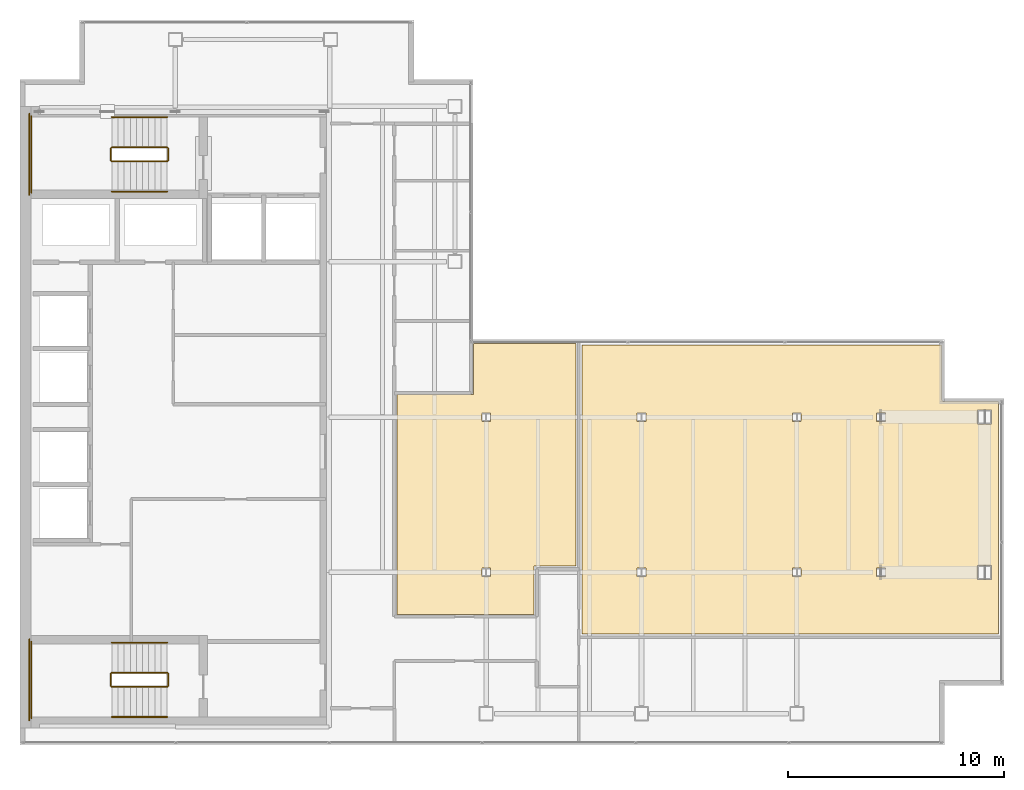
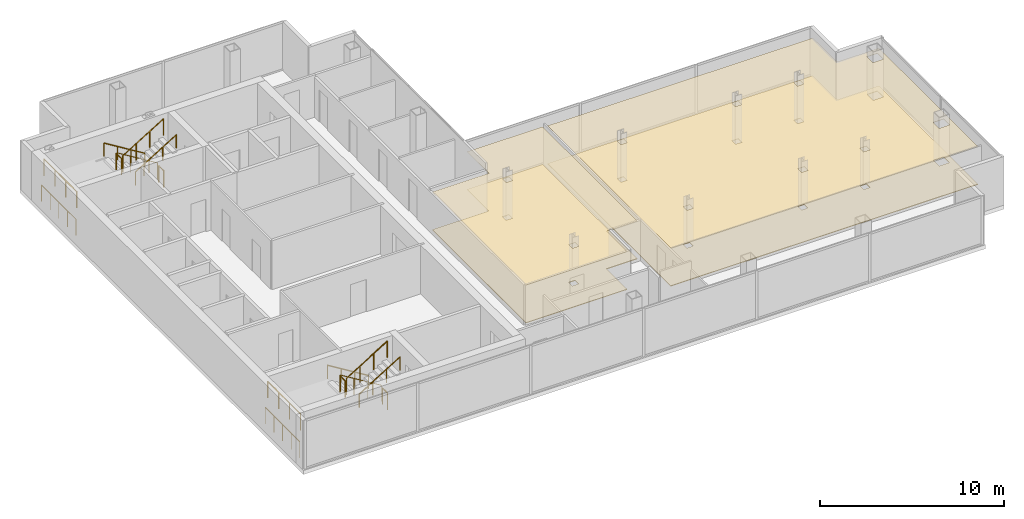
# One storey, part 24 of 24: 16 railings, 4 coverings.
"""IFC4 building model written with IfcOpenShell, lengths in metres."""

import ifcopenshell
import ifcopenshell.guid

model = None  # the IFC model being written
_history = None  # IfcOwnerHistory: only IFC2X3 demands one
_inside = {}  # id of a spatial element -> (the spatial element, [elements in it])
_under = {}  # id of a project, library or spatial element -> (it, [spatial elements below it])
_declared = {}  # id of a project -> (the project, [libraries it declares])
_typed = {}  # id of a type object -> (the type object, [elements of that type])
_made_of = {}  # id of a material, layer set ... -> (it, [elements and type objects made of it])


def new_model(schema):
    """Start an empty IFC model of exactly this schema.

    Asked for "IFC4X3", IfcOpenShell would pick the latest addendum, in which some entities
    have other attributes; the version numbers below select the first issue.
    IFC2X3 requires an IfcOwnerHistory on every rooted entity: one is made here for all.
    """
    global model, _history
    if schema == "IFC4X3":
        model = ifcopenshell.file(schema_version=(4, 3, 0, 0))
    else:
        model = ifcopenshell.file(schema=schema)
    _inside.clear()
    _under.clear()
    _declared.clear()
    _typed.clear()
    _made_of.clear()
    _history = None
    if model.schema == "IFC2X3":
        org = make("IfcOrganization", Name="unknown")
        user = make(
            "IfcPersonAndOrganization",
            ThePerson=make("IfcPerson", FamilyName="unknown"),
            TheOrganization=org,
        )
        app = make(
            "IfcApplication",
            ApplicationDeveloper=org,
            Version="unknown",
            ApplicationFullName="unknown",
            ApplicationIdentifier="unknown",
        )
        _history = make(
            "IfcOwnerHistory",
            OwningUser=user,
            OwningApplication=app,
            ChangeAction="ADDED",
            CreationDate=0,
        )
    return model


def make(cls, **values):
    """One entity of the class cls with the attributes given. An attribute that is None is left unset."""
    return model.create_entity(
        cls, **{name: value for name, value in values.items() if value is not None}
    )


def rooted(cls, **values):
    """An entity with a GlobalId (a new one), such as an element, a storey or a relation."""
    return make(cls, GlobalId=ifcopenshell.guid.new(), OwnerHistory=_history, **values)


def si_unit(unit_type, name, prefix=None):
    """IfcSIUnit, for example si_unit("LENGTHUNIT", "METRE", prefix="MILLI")."""
    return make("IfcSIUnit", UnitType=unit_type, Prefix=prefix, Name=name)


def assignment(units):
    """IfcUnitAssignment: the units of a project."""
    return None if units is None else make("IfcUnitAssignment", Units=units)


def point(xyz):
    """IfcCartesianPoint."""
    return None if xyz is None else make("IfcCartesianPoint", Coordinates=xyz)


def direction(xyz):
    """IfcDirection."""
    return None if xyz is None else make("IfcDirection", DirectionRatios=xyz)


def frame(location, z_axis=None, x_axis=None):
    """IfcAxis2Placement3D, a coordinate frame: its origin and axes. An axis left out is left unset."""
    return make(
        "IfcAxis2Placement3D",
        Location=point(location),
        Axis=direction(z_axis),
        RefDirection=direction(x_axis),
    )


def frame_2d(location, x_axis=None):
    """IfcAxis2Placement2D, a coordinate frame in the plane: its origin and x axis."""
    return make(
        "IfcAxis2Placement2D", Location=point(location), RefDirection=direction(x_axis)
    )


def origin():
    """The frame at (0, 0, 0) with its axes left unset."""
    return frame((0.0, 0.0, 0.0))


def origin_2d():
    """The frame at (0, 0) in the plane with its x axis left unset."""
    return frame_2d((0.0, 0.0))


def place(relative_to, where):
    """IfcLocalPlacement: puts the frame where relative to a parent placement (None: the world)."""
    return make(
        "IfcLocalPlacement", PlacementRelTo=relative_to, RelativePlacement=where
    )


def context(
    kind, dimensions, precision=None, world=None, true_north=None, identifier=None
):
    """IfcGeometricRepresentationContext, for example the 3D "Model" context."""
    return make(
        "IfcGeometricRepresentationContext",
        ContextIdentifier=identifier,
        ContextType=kind,
        CoordinateSpaceDimension=dimensions,
        Precision=precision,
        WorldCoordinateSystem=world,
        TrueNorth=true_north,
    )


def subcontext(parent, identifier, kind, view, scale=None):
    """IfcGeometricRepresentationSubContext, for example "Body" below "Model"."""
    return make(
        "IfcGeometricRepresentationSubContext",
        ContextIdentifier=identifier,
        ContextType=kind,
        ParentContext=parent,
        TargetScale=scale,
        TargetView=view,
    )


def project(units=None, contexts=None):
    """IfcProject with its units and contexts."""
    return rooted(
        "IfcProject",
        Name="project",
        RepresentationContexts=contexts,
        UnitsInContext=assignment(units),
    )


def spatial(cls, under=None, at=None, **own):
    """A site, building, storey or space (cls), placed at a placement, below another one or the project."""
    s = rooted(cls, ObjectPlacement=at, **own)
    if under is not None:
        _under.setdefault(under.id(), (under, []))[1].append(s)
    return s


def polyline(points):
    """IfcPolyline through the points."""
    return make("IfcPolyline", Points=[point(p) for p in points])


def profile(cls, at=None, kind="AREA", **sizes):
    """A parametric profile (cls). Its sizes go by their IFC names, for example OverallWidth=200.0."""
    return make(cls, ProfileType=kind, Position=at, **sizes)


def circle(**sizes):
    """IfcCircleProfileDef."""
    return profile("IfcCircleProfileDef", **sizes)


def outline(outer, holes=None, kind="AREA"):
    """IfcArbitraryClosedProfileDef: a profile drawn as a closed curve; with holes, ...WithVoids."""
    if holes is None:
        return make("IfcArbitraryClosedProfileDef", ProfileType=kind, OuterCurve=outer)
    return make(
        "IfcArbitraryProfileDefWithVoids",
        ProfileType=kind,
        OuterCurve=outer,
        InnerCurves=holes,
    )


def extrude(swept, where, along, depth):
    """IfcExtrudedAreaSolid: the profile swept, set in the frame where, extruded along a direction by depth."""
    return make(
        "IfcExtrudedAreaSolid",
        SweptArea=swept,
        Position=where,
        ExtrudedDirection=direction(along),
        Depth=depth,
    )


def shape(context_of_items, identifier, shape_type, items):
    """IfcShapeRepresentation: the items that make up one representation, for example the "Body"."""
    return make(
        "IfcShapeRepresentation",
        ContextOfItems=context_of_items,
        RepresentationIdentifier=identifier,
        RepresentationType=shape_type,
        Items=items,
    )


def material(Name=None, Category=None):
    """IfcMaterial."""
    return make("IfcMaterial", Name=Name, Category=Category)


def layer(
    of_material, thickness, ventilated=None, Name=None, Category=None, Priority=None
):
    """IfcMaterialLayer: one layer of a wall or slab, of a material (None: an air gap)."""
    return make(
        "IfcMaterialLayer",
        Material=of_material,
        LayerThickness=thickness,
        IsVentilated=ventilated,
        Name=Name,
        Category=Category,
        Priority=Priority,
    )


def layer_set(layers, Name=None):
    """IfcMaterialLayerSet."""
    return make("IfcMaterialLayerSet", MaterialLayers=layers, LayerSetName=Name)


def made_of(thing, what):
    """Note that an element or type object is made of a material, layer set ...; save() writes the relation."""
    if what is not None:
        _made_of.setdefault(what.id(), (what, []))[1].append(thing)
    return thing


def type_object(cls, material=None, **own):
    """A type object (cls), such as IfcWallType, which elements share."""
    return made_of(rooted(cls, **own), material)


def element(
    cls,
    number,
    at=None,
    inside=None,
    cuts=None,
    type_object=None,
    material=None,
    context=None,
    identifier="Body",
    shape_type=None,
    held_by="IfcProductDefinitionShape",
    body=None,
    shapes=None,
    **own,
):
    """One element of the class cls, such as IfcWall. Its Tag is "e" and its number.

    at: its placement. inside: the storey or other place that contains it. cuts: it is an
    opening in that element (IfcRelVoidsElement). A single representation is given by context,
    identifier, shape_type and body (its items); several are given by shapes. held_by: the class
    of the entity that holds the representations. save() writes the other relations.
    """
    e = rooted(cls, Tag="e%d" % number, ObjectPlacement=at, **own)
    if body is not None:
        shapes = [shape(context, identifier, shape_type, body)]
    if shapes is not None:
        e.Representation = make(held_by, Representations=shapes)
    if inside is not None:
        _inside.setdefault(inside.id(), (inside, []))[1].append(e)
    if cuts is not None:
        rooted(
            "IfcRelVoidsElement", RelatingBuildingElement=cuts, RelatedOpeningElement=e
        )
    if type_object is not None:
        _typed.setdefault(type_object.id(), (type_object, []))[1].append(e)
    return made_of(e, material)


def aggregate(whole, parts):
    """IfcRelAggregates: a whole, such as a stair, and the parts it consists of."""
    return rooted("IfcRelAggregates", RelatingObject=whole, RelatedObjects=parts)


def save(model, path):
    """Write the relations noted so far, then the file.

    IfcRelAggregates (storeys below a building ...), IfcRelContainedInSpatialStructure (elements
    in a storey), IfcRelDefinesByType, IfcRelAssociatesMaterial and IfcRelDeclares: one each for
    every whole, place, type object, material and project.
    """
    for whole, parts in _under.values():
        aggregate(whole, parts)
    for where, things in _inside.values():
        rooted(
            "IfcRelContainedInSpatialStructure",
            RelatedElements=things,
            RelatingStructure=where,
        )
    for kind, things in _typed.values():
        rooted("IfcRelDefinesByType", RelatedObjects=things, RelatingType=kind)
    for what, things in _made_of.values():
        rooted("IfcRelAssociatesMaterial", RelatedObjects=things, RelatingMaterial=what)
    for by, libraries in _declared.values():
        rooted("IfcRelDeclares", RelatingContext=by, RelatedDefinitions=libraries)
    model.write(path)


model = new_model("IFC4")

# Units and contexts
model_context = context("Model", 3, precision=1e-05, world=origin(), true_north=direction((0.0, 1.0)))
body_context = subcontext(model_context, "Body", "Model", "MODEL_VIEW")
ifc_project = project(units=[si_unit("LENGTHUNIT", "METRE"), si_unit("AREAUNIT", "SQUARE_METRE"), si_unit("VOLUMEUNIT", "CUBIC_METRE"), si_unit("PLANEANGLEUNIT", "RADIAN"), si_unit("MASSUNIT", "GRAM", prefix="KILO")], contexts=[model_context])

# Site, building, storey
site_placement = place(None, origin())
site = spatial("IfcSite", under=ifc_project, at=site_placement, CompositionType="ELEMENT")
building_placement = place(site_placement, origin())
building = spatial("IfcBuilding", under=site, at=building_placement, Name="Cobrela Telecom Tower", CompositionType="ELEMENT")
storey_placement = place(building_placement, frame((0.0, 0.0, 241.14990234375)))
storey = spatial("IfcBuildingStorey", under=building, at=storey_placement, Name="L62", CompositionType="ELEMENT", Elevation=241.14990234375)

# Coverings
ifc_material_1 = material(Name="Mineral Fibre Acoustic Ceiling Tile")
ifc_layer_1 = layer(ifc_material_1, 0.02490234375)
ifc_layer_set_1 = layer_set([ifc_layer_1], Name="Mineral Fibre Acoustic Ceiling Tile")
covering_type_1 = type_object("IfcCoveringType", Name="COV-CEIL-ACT", PredefinedType="CEILING", material=ifc_layer_set_1)
covering_1_placement = place(storey_placement, frame((0.0, 0.0, 2.52001953125)))
element("IfcCovering", 1, at=covering_1_placement, inside=storey, type_object=covering_type_1, Name="L62 Security Control Room 6 Suspended Acoustic Ceiling", PredefinedType="CEILING", context=body_context, shape_type="SweptSolid", body=[
    extrude(outline(polyline([(42.7099609375, 24.93994140625), (42.7099609375, 22.448974609375), (42.710693359375, 22.436279296875), (42.712646484375, 22.422607421875), (42.716064453125, 22.409423828125), (42.720703125, 22.396484375), (42.7265625, 22.384033203125), (42.733642578125, 22.3720703125), (42.74169921875, 22.361083984375), (42.7509765625, 22.35107421875), (42.76123046875, 22.341796875), (42.772216796875, 22.33349609375), (42.783935546875, 22.326416015625), (42.79638671875, 22.320556640625), (42.809326171875, 22.31591796875), (42.82275390625, 22.3125), (42.836181640625, 22.310546875), (42.84912109375, 22.31005859375), (45.340087890625, 22.31005859375), (45.340087890625, 11.5400390625), (26.0400390625, 11.5400390625), (26.0400390625, 24.93994140625), (42.7099609375, 24.93994140625)]), holes=[polyline([(28.99951171875, 14.596923828125), (28.6005859375, 14.596923828125), (28.6005859375, 14.202880859375), (28.99951171875, 14.202880859375), (28.99951171875, 14.596923828125)]), polyline([(28.99951171875, 21.797119140625), (28.6005859375, 21.797119140625), (28.6005859375, 21.403076171875), (28.99951171875, 21.403076171875), (28.99951171875, 21.797119140625)]), polyline([(36.199462890625, 14.596923828125), (35.800537109375, 14.596923828125), (35.800537109375, 14.202880859375), (36.199462890625, 14.202880859375), (36.199462890625, 14.596923828125)]), polyline([(40.099609375, 14.596923828125), (39.700439453125, 14.596923828125), (39.700439453125, 14.202880859375), (40.099609375, 14.202880859375), (40.099609375, 14.596923828125)]), polyline([(45.02490234375, 14.72509765625), (44.375, 14.72509765625), (44.375, 14.074951171875), (45.02490234375, 14.074951171875), (45.02490234375, 14.72509765625)]), polyline([(36.199462890625, 21.797119140625), (35.800537109375, 21.797119140625), (35.800537109375, 21.403076171875), (36.199462890625, 21.403076171875), (36.199462890625, 21.797119140625)]), polyline([(40.099609375, 21.403076171875), (40.099609375, 21.797119140625), (39.700439453125, 21.797119140625), (39.700439453125, 21.403076171875), (40.099609375, 21.403076171875)]), polyline([(45.02490234375, 21.27490234375), (45.02490234375, 21.925048828125), (44.375, 21.925048828125), (44.375, 21.27490234375), (45.02490234375, 21.27490234375)])]), origin(), (0.0, 0.0, 1.0), 0.025146484375),
])
covering_2_placement = place(storey_placement, frame((0.0, 0.0, 2.52001953125)))
element("IfcCovering", 2, at=covering_2_placement, inside=storey, type_object=covering_type_1, Name="L62 Security Control Room 2 Suspended Acoustic Ceiling", PredefinedType="CEILING", context=body_context, shape_type="SweptSolid", body=[
    extrude(outline(polyline([(25.760009765625, 25.0), (25.760009765625, 14.68994140625), (23.830078125, 14.68994140625), (23.830078125, 12.449951171875), (17.469970703125, 12.449951171875), (17.469970703125, 22.639892578125), (21.02001953125, 22.639892578125), (21.02001953125, 25.0), (25.760009765625, 25.0)]), holes=[polyline([(21.799560546875, 14.596923828125), (21.400390625, 14.596923828125), (21.400390625, 14.202880859375), (21.799560546875, 14.202880859375), (21.799560546875, 14.596923828125)]), polyline([(21.799560546875, 21.797119140625), (21.400390625, 21.797119140625), (21.400390625, 21.403076171875), (21.799560546875, 21.403076171875), (21.799560546875, 21.797119140625)])]), origin(), (0.0, 0.0, 1.0), 0.025146484375),
])
ifc_material_2 = material(Name="Honed Colombian Basalt Stone", Category="masonry")
ifc_layer_2 = layer(ifc_material_2, 0.0400390625)
ifc_layer_set_2 = layer_set([ifc_layer_2], Name="Honed Colombian Basalt Stone")
covering_type_2 = type_object("IfcCoveringType", Name="COV-FLR-STONE", PredefinedType="FLOORING", material=ifc_layer_set_2)
covering_3_placement = place(storey_placement, origin())
element("IfcCovering", 3, at=covering_3_placement, inside=storey, type_object=covering_type_2, Name="L62 Security Control Room 6 Raised Technical Flooring", PredefinedType="FLOORING", context=body_context, shape_type="SweptSolid", body=[
    extrude(outline(polyline([(42.7099609375, 24.93994140625), (42.7099609375, 22.448974609375), (42.710693359375, 22.436279296875), (42.712646484375, 22.422607421875), (42.716064453125, 22.409423828125), (42.720703125, 22.396484375), (42.7265625, 22.384033203125), (42.733642578125, 22.3720703125), (42.74169921875, 22.361083984375), (42.7509765625, 22.35107421875), (42.76123046875, 22.341796875), (42.772216796875, 22.33349609375), (42.783935546875, 22.326416015625), (42.79638671875, 22.320556640625), (42.809326171875, 22.31591796875), (42.82275390625, 22.3125), (42.836181640625, 22.310546875), (42.84912109375, 22.31005859375), (45.340087890625, 22.31005859375), (45.340087890625, 11.5400390625), (26.0400390625, 11.5400390625), (26.0400390625, 24.93994140625), (42.7099609375, 24.93994140625)]), holes=[polyline([(28.99951171875, 14.596923828125), (28.6005859375, 14.596923828125), (28.6005859375, 14.202880859375), (28.99951171875, 14.202880859375), (28.99951171875, 14.596923828125)]), polyline([(28.99951171875, 21.797119140625), (28.6005859375, 21.797119140625), (28.6005859375, 21.403076171875), (28.99951171875, 21.403076171875), (28.99951171875, 21.797119140625)]), polyline([(36.199462890625, 14.596923828125), (35.800537109375, 14.596923828125), (35.800537109375, 14.202880859375), (36.199462890625, 14.202880859375), (36.199462890625, 14.596923828125)]), polyline([(40.099609375, 14.596923828125), (39.700439453125, 14.596923828125), (39.700439453125, 14.202880859375), (40.099609375, 14.202880859375), (40.099609375, 14.596923828125)]), polyline([(45.02490234375, 14.72509765625), (44.375, 14.72509765625), (44.375, 14.074951171875), (45.02490234375, 14.074951171875), (45.02490234375, 14.72509765625)]), polyline([(36.199462890625, 21.797119140625), (35.800537109375, 21.797119140625), (35.800537109375, 21.403076171875), (36.199462890625, 21.403076171875), (36.199462890625, 21.797119140625)]), polyline([(40.099609375, 21.403076171875), (40.099609375, 21.797119140625), (39.700439453125, 21.797119140625), (39.700439453125, 21.403076171875), (40.099609375, 21.403076171875)]), polyline([(45.02490234375, 21.27490234375), (45.02490234375, 21.925048828125), (44.375, 21.925048828125), (44.375, 21.27490234375), (45.02490234375, 21.27490234375)])]), origin(), (0.0, 0.0, 1.0), 0.0400390625),
])
covering_4_placement = place(storey_placement, origin())
element("IfcCovering", 4, at=covering_4_placement, inside=storey, type_object=covering_type_2, Name="L62 Security Control Room 2 Raised Technical Flooring", PredefinedType="FLOORING", context=body_context, shape_type="SweptSolid", body=[
    extrude(outline(polyline([(25.760009765625, 25.0), (25.760009765625, 14.68994140625), (23.830078125, 14.68994140625), (23.830078125, 12.449951171875), (17.469970703125, 12.449951171875), (17.469970703125, 22.639892578125), (21.02001953125, 22.639892578125), (21.02001953125, 25.0), (25.760009765625, 25.0)]), holes=[polyline([(21.799560546875, 14.596923828125), (21.400390625, 14.596923828125), (21.400390625, 14.202880859375), (21.799560546875, 14.202880859375), (21.799560546875, 14.596923828125)]), polyline([(21.799560546875, 21.797119140625), (21.400390625, 21.797119140625), (21.400390625, 21.403076171875), (21.799560546875, 21.403076171875), (21.799560546875, 21.797119140625)])]), origin(), (0.0, 0.0, 1.0), 0.0400390625),
])

# Railings
ifc_material_3 = material(Name="Steel ASTM A36", Category="steel")
railing_type_1 = type_object("IfcRailingType", Name="RAIL-GUARD-1100", PredefinedType="GUARDRAIL", material=ifc_material_3)
railing_1_placement = place(storey_placement, frame((6.820068359375, 34.10009765625, 0.175048828125)))
element("IfcRailing", 5, at=railing_1_placement, inside=storey, type_object=railing_type_1, Name="L62 ST1 stair guard 1", PredefinedType="GUARDRAIL", context=body_context, shape_type="SweptSolid", body=[
    extrude(circle(Radius=0.02392578125, at=origin_2d()), frame((0.0, 0.0, 1.076171875), z_axis=(-0.852195335862, 0.0, 0.523223766217), x_axis=(0.0, -1.0, 0.0)), (0.0, 0.0, 1.0), 3.010009765625),
    extrude(circle(Radius=0.02099609375, at=origin_2d()), origin(), (0.0, 0.0, 1.0), 1.052001953125),
    extrude(circle(Radius=0.02099609375, at=origin_2d()), frame((-0.85498046875, 0.0, 0.52490234375)), (0.0, 0.0, 1.0), 1.052001953125),
    extrude(circle(Radius=0.02099609375, at=origin_2d()), frame((-1.710205078125, 0.0, 1.050048828125)), (0.0, 0.0, 1.0), 1.052001953125),
    extrude(circle(Radius=0.02099609375, at=origin_2d()), frame((-2.565185546875, 0.0, 1.574951171875)), (0.0, 0.0, 1.0), 1.052001953125),
])
railing_2_placement = place(storey_placement, frame((4.205078125, 34.050048828125, 1.75)))
element("IfcRailing", 6, at=railing_2_placement, inside=storey, type_object=railing_type_1, Name="L62 ST1 stair guard 2", PredefinedType="GUARDRAIL", context=body_context, shape_type="SweptSolid", body=[
    extrude(circle(Radius=0.02392578125, at=origin_2d()), frame((0.0, 0.0, 1.076171875), z_axis=(0.0, -1.0, 0.0), x_axis=(1.0, 0.0, 0.0)), (0.0, 0.0, 1.0), 0.550048828125),
    extrude(circle(Radius=0.02099609375, at=origin_2d()), origin(), (0.0, 0.0, 1.0), 1.052001953125),
    extrude(circle(Radius=0.02099609375, at=origin_2d()), frame((0.0, -0.550048828125, 0.0)), (0.0, 0.0, 1.0), 1.052001953125),
])
railing_3_placement = place(storey_placement, frame((0.530029296875, 35.550048828125, 1.75)))
element("IfcRailing", 7, at=railing_3_placement, inside=storey, type_object=railing_type_1, Name="L62 ST1 stair guard 3", PredefinedType="GUARDRAIL", context=body_context, shape_type="SweptSolid", body=[
    extrude(circle(Radius=0.02392578125, at=origin_2d()), frame((0.0, 0.0, 1.076171875), z_axis=(0.0, -1.0, 0.0), x_axis=(1.0, 0.0, 0.0)), (0.0, 0.0, 1.0), 3.550048828125),
    extrude(circle(Radius=0.02099609375, at=origin_2d()), origin(), (0.0, 0.0, 1.0), 1.052001953125),
    extrude(circle(Radius=0.02099609375, at=origin_2d()), frame((0.0, -1.183349609375, 0.0)), (0.0, 0.0, 1.0), 1.052001953125),
    extrude(circle(Radius=0.02099609375, at=origin_2d()), frame((0.0, -2.36669921875, 0.0)), (0.0, 0.0, 1.0), 1.052001953125),
    extrude(circle(Radius=0.02099609375, at=origin_2d()), frame((0.0, -3.550048828125, 0.0)), (0.0, 0.0, 1.0), 1.052001953125),
])
railing_4_placement = place(storey_placement, frame((4.2548828125, 33.449951171875, 1.925048828125)))
element("IfcRailing", 8, at=railing_4_placement, inside=storey, type_object=railing_type_1, Name="L62 ST1 stair guard 4", PredefinedType="GUARDRAIL", context=body_context, shape_type="SweptSolid", body=[
    extrude(circle(Radius=0.02392578125, at=origin_2d()), frame((0.0, 0.0, 1.076171875), z_axis=(0.852195335862, 0.0, 0.523223766217), x_axis=(0.0, 1.0, 0.0)), (0.0, 0.0, 1.0), 3.010009765625),
    extrude(circle(Radius=0.02099609375, at=origin_2d()), origin(), (0.0, 0.0, 1.0), 1.052001953125),
    extrude(circle(Radius=0.02099609375, at=origin_2d()), frame((0.85498046875, 0.0, 0.52490234375)), (0.0, 0.0, 1.0), 1.052001953125),
    extrude(circle(Radius=0.02099609375, at=origin_2d()), frame((1.710205078125, 0.0, 1.050048828125)), (0.0, 0.0, 1.0), 1.052001953125),
    extrude(circle(Radius=0.02099609375, at=origin_2d()), frame((2.565185546875, 0.0, 1.574951171875)), (0.0, 0.0, 1.0), 1.052001953125),
])
railing_5_placement = place(storey_placement, frame((6.8701171875, 34.050048828125, 0.0)))
element("IfcRailing", 9, at=railing_5_placement, inside=storey, type_object=railing_type_1, Name="L62 ST1 stair guard 5", PredefinedType="GUARDRAIL", context=body_context, shape_type="SweptSolid", body=[
    extrude(circle(Radius=0.02392578125, at=origin_2d()), frame((0.0, 0.0, 1.076171875), z_axis=(0.0, -1.0, 0.0), x_axis=(1.0, 0.0, 0.0)), (0.0, 0.0, 1.0), 0.550048828125),
    extrude(circle(Radius=0.02099609375, at=origin_2d()), origin(), (0.0, 0.0, 1.0), 1.052001953125),
    extrude(circle(Radius=0.02099609375, at=origin_2d()), frame((0.0, -0.550048828125, 0.0)), (0.0, 0.0, 1.0), 1.052001953125),
])
railing_6_placement = place(storey_placement, frame((0.429931640625, 35.64990234375, 0.0)))
element("IfcRailing", 10, at=railing_6_placement, inside=storey, type_object=railing_type_1, Name="L62 ST1 stair guard 6", PredefinedType="GUARDRAIL", context=body_context, shape_type="SweptSolid", body=[
    extrude(circle(Radius=0.02392578125, at=origin_2d()), frame((0.0, 0.0, 1.076171875), z_axis=(0.0, -1.0, 0.0), x_axis=(1.0, 0.0, 0.0)), (0.0, 0.0, 1.0), 3.75),
    extrude(circle(Radius=0.02099609375, at=origin_2d()), origin(), (0.0, 0.0, 1.0), 1.052001953125),
    extrude(circle(Radius=0.02099609375, at=origin_2d()), frame((0.0, -0.9375, 0.0)), (0.0, 0.0, 1.0), 1.052001953125),
    extrude(circle(Radius=0.02099609375, at=origin_2d()), frame((0.0, -1.875, 0.0)), (0.0, 0.0, 1.0), 1.052001953125),
    extrude(circle(Radius=0.02099609375, at=origin_2d()), frame((0.0, -2.8125, 0.0)), (0.0, 0.0, 1.0), 1.052001953125),
    extrude(circle(Radius=0.02099609375, at=origin_2d()), frame((0.0, -3.75, 0.0)), (0.0, 0.0, 1.0), 1.052001953125),
])
railing_7_placement = place(storey_placement, frame((6.820068359375, 9.75, 0.175048828125)))
element("IfcRailing", 11, at=railing_7_placement, inside=storey, type_object=railing_type_1, Name="L62 ST2 stair guard 1", PredefinedType="GUARDRAIL", context=body_context, shape_type="SweptSolid", body=[
    extrude(circle(Radius=0.02392578125, at=origin_2d()), frame((0.0, 0.0, 1.076171875), z_axis=(-0.852195335862, 0.0, 0.523223766217), x_axis=(0.0, -1.0, 0.0)), (0.0, 0.0, 1.0), 3.010009765625),
    extrude(circle(Radius=0.02099609375, at=origin_2d()), origin(), (0.0, 0.0, 1.0), 1.052001953125),
    extrude(circle(Radius=0.02099609375, at=origin_2d()), frame((-0.85498046875, 0.0, 0.52490234375)), (0.0, 0.0, 1.0), 1.052001953125),
    extrude(circle(Radius=0.02099609375, at=origin_2d()), frame((-1.710205078125, 0.0, 1.050048828125)), (0.0, 0.0, 1.0), 1.052001953125),
    extrude(circle(Radius=0.02099609375, at=origin_2d()), frame((-2.565185546875, 0.0, 1.574951171875)), (0.0, 0.0, 1.0), 1.052001953125),
])
railing_8_placement = place(storey_placement, frame((4.205078125, 9.699951171875, 1.75)))
element("IfcRailing", 12, at=railing_8_placement, inside=storey, type_object=railing_type_1, Name="L62 ST2 stair guard 2", PredefinedType="GUARDRAIL", context=body_context, shape_type="SweptSolid", body=[
    extrude(circle(Radius=0.02392578125, at=origin_2d()), frame((0.0, 0.0, 1.076171875), z_axis=(0.0, -1.0, 0.0), x_axis=(1.0, 0.0, 0.0)), (0.0, 0.0, 1.0), 0.550048828125),
    extrude(circle(Radius=0.02099609375, at=origin_2d()), origin(), (0.0, 0.0, 1.0), 1.052001953125),
    extrude(circle(Radius=0.02099609375, at=origin_2d()), frame((0.0, -0.550048828125, 0.0)), (0.0, 0.0, 1.0), 1.052001953125),
])
railing_9_placement = place(storey_placement, frame((0.530029296875, 11.199951171875, 1.75)))
element("IfcRailing", 13, at=railing_9_placement, inside=storey, type_object=railing_type_1, Name="L62 ST2 stair guard 3", PredefinedType="GUARDRAIL", context=body_context, shape_type="SweptSolid", body=[
    extrude(circle(Radius=0.02392578125, at=origin_2d()), frame((0.0, 0.0, 1.076171875), z_axis=(0.0, -1.0, 0.0), x_axis=(1.0, 0.0, 0.0)), (0.0, 0.0, 1.0), 3.550048828125),
    extrude(circle(Radius=0.02099609375, at=origin_2d()), origin(), (0.0, 0.0, 1.0), 1.052001953125),
    extrude(circle(Radius=0.02099609375, at=origin_2d()), frame((0.0, -1.183349609375, 0.0)), (0.0, 0.0, 1.0), 1.052001953125),
    extrude(circle(Radius=0.02099609375, at=origin_2d()), frame((0.0, -2.36669921875, 0.0)), (0.0, 0.0, 1.0), 1.052001953125),
    extrude(circle(Radius=0.02099609375, at=origin_2d()), frame((0.0, -3.550048828125, 0.0)), (0.0, 0.0, 1.0), 1.052001953125),
])
railing_10_placement = place(storey_placement, frame((4.2548828125, 9.10009765625, 1.925048828125)))
element("IfcRailing", 14, at=railing_10_placement, inside=storey, type_object=railing_type_1, Name="L62 ST2 stair guard 4", PredefinedType="GUARDRAIL", context=body_context, shape_type="SweptSolid", body=[
    extrude(circle(Radius=0.02392578125, at=origin_2d()), frame((0.0, 0.0, 1.076171875), z_axis=(0.852195335862, 0.0, 0.523223766217), x_axis=(0.0, 1.0, 0.0)), (0.0, 0.0, 1.0), 3.010009765625),
    extrude(circle(Radius=0.02099609375, at=origin_2d()), origin(), (0.0, 0.0, 1.0), 1.052001953125),
    extrude(circle(Radius=0.02099609375, at=origin_2d()), frame((0.85498046875, 0.0, 0.52490234375)), (0.0, 0.0, 1.0), 1.052001953125),
    extrude(circle(Radius=0.02099609375, at=origin_2d()), frame((1.710205078125, 0.0, 1.050048828125)), (0.0, 0.0, 1.0), 1.052001953125),
    extrude(circle(Radius=0.02099609375, at=origin_2d()), frame((2.565185546875, 0.0, 1.574951171875)), (0.0, 0.0, 1.0), 1.052001953125),
])
railing_11_placement = place(storey_placement, frame((6.8701171875, 9.699951171875, 0.0)))
element("IfcRailing", 15, at=railing_11_placement, inside=storey, type_object=railing_type_1, Name="L62 ST2 stair guard 5", PredefinedType="GUARDRAIL", context=body_context, shape_type="SweptSolid", body=[
    extrude(circle(Radius=0.02392578125, at=origin_2d()), frame((0.0, 0.0, 1.076171875), z_axis=(0.0, -1.0, 0.0), x_axis=(1.0, 0.0, 0.0)), (0.0, 0.0, 1.0), 0.550048828125),
    extrude(circle(Radius=0.02099609375, at=origin_2d()), origin(), (0.0, 0.0, 1.0), 1.052001953125),
    extrude(circle(Radius=0.02099609375, at=origin_2d()), frame((0.0, -0.550048828125, 0.0)), (0.0, 0.0, 1.0), 1.052001953125),
])
railing_12_placement = place(storey_placement, frame((0.429931640625, 11.300048828125, 0.0)))
element("IfcRailing", 16, at=railing_12_placement, inside=storey, type_object=railing_type_1, Name="L62 ST2 stair guard 6", PredefinedType="GUARDRAIL", context=body_context, shape_type="SweptSolid", body=[
    extrude(circle(Radius=0.02392578125, at=origin_2d()), frame((0.0, 0.0, 1.076171875), z_axis=(0.0, -1.0, 0.0), x_axis=(1.0, 0.0, 0.0)), (0.0, 0.0, 1.0), 3.75),
    extrude(circle(Radius=0.02099609375, at=origin_2d()), origin(), (0.0, 0.0, 1.0), 1.052001953125),
    extrude(circle(Radius=0.02099609375, at=origin_2d()), frame((0.0, -0.9375, 0.0)), (0.0, 0.0, 1.0), 1.052001953125),
    extrude(circle(Radius=0.02099609375, at=origin_2d()), frame((0.0, -1.875, 0.0)), (0.0, 0.0, 1.0), 1.052001953125),
    extrude(circle(Radius=0.02099609375, at=origin_2d()), frame((0.0, -2.8125, 0.0)), (0.0, 0.0, 1.0), 1.052001953125),
    extrude(circle(Radius=0.02099609375, at=origin_2d()), frame((0.0, -3.75, 0.0)), (0.0, 0.0, 1.0), 1.052001953125),
])
railing_type_2 = type_object("IfcRailingType", Name="RAIL-HAND-920", PredefinedType="HANDRAIL", material=ifc_material_3)
railing_13_placement = place(storey_placement, frame((6.820068359375, 35.5, 0.175048828125)))
element("IfcRailing", 17, at=railing_13_placement, inside=storey, type_object=railing_type_2, Name="L62 ST1 stair handrail 1", PredefinedType="HANDRAIL", context=body_context, shape_type="SweptSolid", body=[
    extrude(circle(Radius=0.02392578125, at=origin_2d()), frame((0.0, 0.0, 0.8759765625), z_axis=(-0.852195335862, 0.0, 0.523223766217), x_axis=(0.0, -1.0, 0.0)), (0.0, 0.0, 1.0), 3.010009765625),
    extrude(circle(Radius=0.02099609375, at=origin_2d()), origin(), (0.0, 0.0, 1.0), 0.851806640625),
    extrude(circle(Radius=0.02099609375, at=origin_2d()), frame((-0.85498046875, 0.0, 0.52490234375)), (0.0, 0.0, 1.0), 0.851806640625),
    extrude(circle(Radius=0.02099609375, at=origin_2d()), frame((-1.710205078125, 0.0, 1.050048828125)), (0.0, 0.0, 1.0), 0.851806640625),
    extrude(circle(Radius=0.02099609375, at=origin_2d()), frame((-2.565185546875, 0.0, 1.574951171875)), (0.0, 0.0, 1.0), 0.851806640625),
])
railing_14_placement = place(storey_placement, frame((4.2548828125, 32.050048828125, 1.925048828125)))
element("IfcRailing", 18, at=railing_14_placement, inside=storey, type_object=railing_type_2, Name="L62 ST1 stair handrail 2", PredefinedType="HANDRAIL", context=body_context, shape_type="SweptSolid", body=[
    extrude(circle(Radius=0.02392578125, at=origin_2d()), frame((0.0, 0.0, 0.8759765625), z_axis=(0.852195335862, 0.0, 0.523223766217), x_axis=(0.0, 1.0, 0.0)), (0.0, 0.0, 1.0), 3.010009765625),
    extrude(circle(Radius=0.02099609375, at=origin_2d()), origin(), (0.0, 0.0, 1.0), 0.851806640625),
    extrude(circle(Radius=0.02099609375, at=origin_2d()), frame((0.85498046875, 0.0, 0.52490234375)), (0.0, 0.0, 1.0), 0.851806640625),
    extrude(circle(Radius=0.02099609375, at=origin_2d()), frame((1.710205078125, 0.0, 1.050048828125)), (0.0, 0.0, 1.0), 0.851806640625),
    extrude(circle(Radius=0.02099609375, at=origin_2d()), frame((2.565185546875, 0.0, 1.574951171875)), (0.0, 0.0, 1.0), 0.851806640625),
])
railing_15_placement = place(storey_placement, frame((6.820068359375, 11.14990234375, 0.175048828125)))
element("IfcRailing", 19, at=railing_15_placement, inside=storey, type_object=railing_type_2, Name="L62 ST2 stair handrail 1", PredefinedType="HANDRAIL", context=body_context, shape_type="SweptSolid", body=[
    extrude(circle(Radius=0.02392578125, at=origin_2d()), frame((0.0, 0.0, 0.8759765625), z_axis=(-0.852195335862, 0.0, 0.523223766217), x_axis=(0.0, -1.0, 0.0)), (0.0, 0.0, 1.0), 3.010009765625),
    extrude(circle(Radius=0.02099609375, at=origin_2d()), origin(), (0.0, 0.0, 1.0), 0.851806640625),
    extrude(circle(Radius=0.02099609375, at=origin_2d()), frame((-0.85498046875, 0.0, 0.52490234375)), (0.0, 0.0, 1.0), 0.851806640625),
    extrude(circle(Radius=0.02099609375, at=origin_2d()), frame((-1.710205078125, 0.0, 1.050048828125)), (0.0, 0.0, 1.0), 0.851806640625),
    extrude(circle(Radius=0.02099609375, at=origin_2d()), frame((-2.565185546875, 0.0, 1.574951171875)), (0.0, 0.0, 1.0), 0.851806640625),
])
railing_16_placement = place(storey_placement, frame((4.2548828125, 7.699951171875, 1.925048828125)))
element("IfcRailing", 20, at=railing_16_placement, inside=storey, type_object=railing_type_2, Name="L62 ST2 stair handrail 2", PredefinedType="HANDRAIL", context=body_context, shape_type="SweptSolid", body=[
    extrude(circle(Radius=0.02392578125, at=origin_2d()), frame((0.0, 0.0, 0.8759765625), z_axis=(0.852195335862, 0.0, 0.523223766217), x_axis=(0.0, 1.0, 0.0)), (0.0, 0.0, 1.0), 3.010009765625),
    extrude(circle(Radius=0.02099609375, at=origin_2d()), origin(), (0.0, 0.0, 1.0), 0.851806640625),
    extrude(circle(Radius=0.02099609375, at=origin_2d()), frame((0.85498046875, 0.0, 0.52490234375)), (0.0, 0.0, 1.0), 0.851806640625),
    extrude(circle(Radius=0.02099609375, at=origin_2d()), frame((1.710205078125, 0.0, 1.050048828125)), (0.0, 0.0, 1.0), 0.851806640625),
    extrude(circle(Radius=0.02099609375, at=origin_2d()), frame((2.565185546875, 0.0, 1.574951171875)), (0.0, 0.0, 1.0), 0.851806640625),
])

save(model, "model.ifc")
